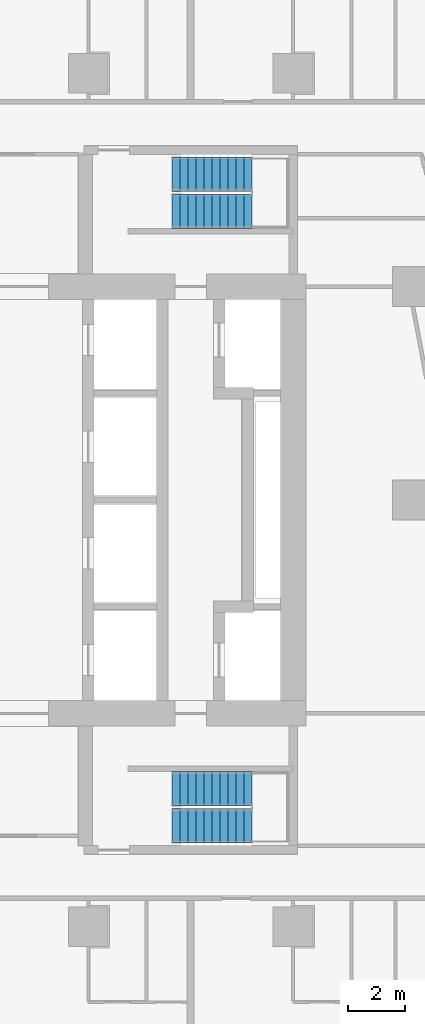
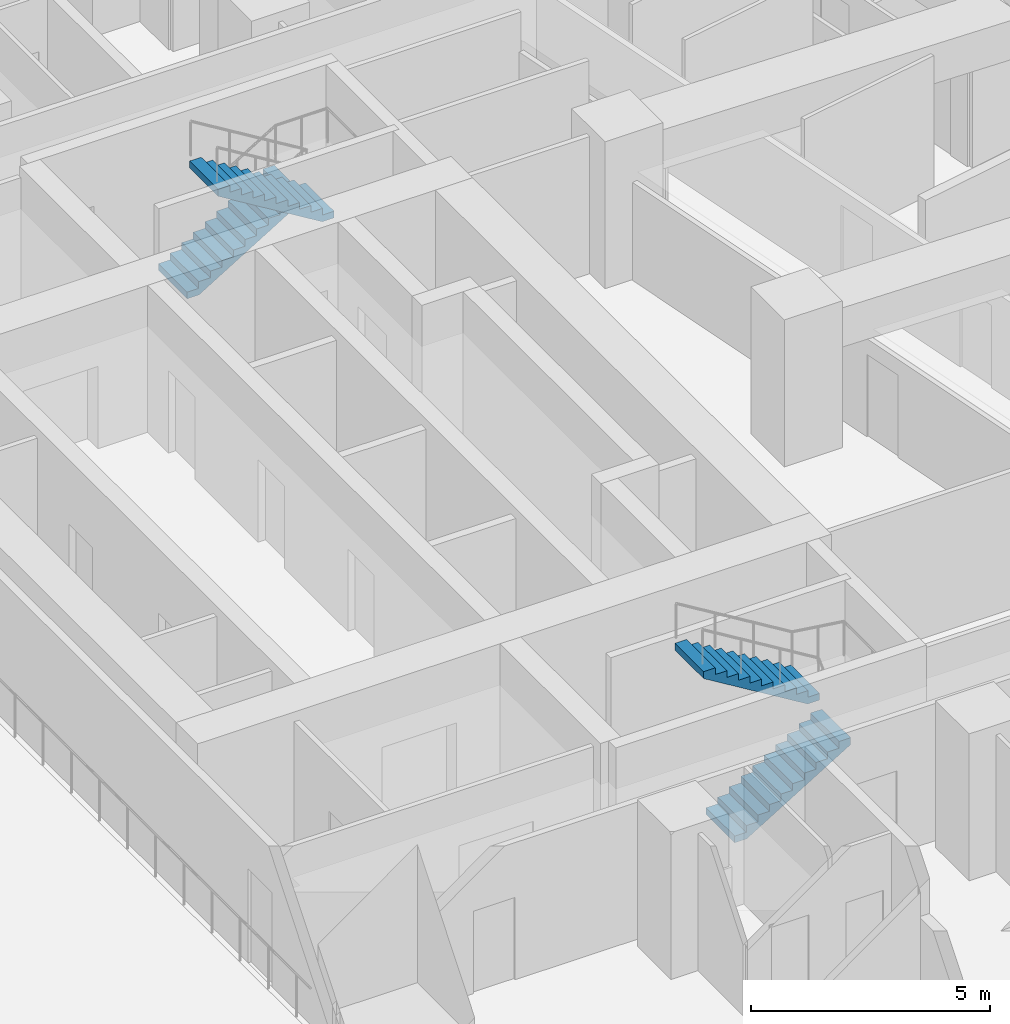
# One storey, part 9 of 11: 4 stair flights, 2 elements without a shape of their own.
"""IFC4 building model written with IfcOpenShell, lengths in metres."""

import ifcopenshell
import ifcopenshell.guid

model = None  # the IFC model being written
_history = None  # IfcOwnerHistory: only IFC2X3 demands one
_inside = {}  # id of a spatial element -> (the spatial element, [elements in it])
_under = {}  # id of a project, library or spatial element -> (it, [spatial elements below it])
_declared = {}  # id of a project -> (the project, [libraries it declares])
_typed = {}  # id of a type object -> (the type object, [elements of that type])
_made_of = {}  # id of a material, layer set ... -> (it, [elements and type objects made of it])


def new_model(schema):
    """Start an empty IFC model of exactly this schema.

    Asked for "IFC4X3", IfcOpenShell would pick the latest addendum, in which some entities
    have other attributes; the version numbers below select the first issue.
    IFC2X3 requires an IfcOwnerHistory on every rooted entity: one is made here for all.
    """
    global model, _history
    if schema == "IFC4X3":
        model = ifcopenshell.file(schema_version=(4, 3, 0, 0))
    else:
        model = ifcopenshell.file(schema=schema)
    _inside.clear()
    _under.clear()
    _declared.clear()
    _typed.clear()
    _made_of.clear()
    _history = None
    if model.schema == "IFC2X3":
        org = make("IfcOrganization", Name="unknown")
        user = make(
            "IfcPersonAndOrganization",
            ThePerson=make("IfcPerson", FamilyName="unknown"),
            TheOrganization=org,
        )
        app = make(
            "IfcApplication",
            ApplicationDeveloper=org,
            Version="unknown",
            ApplicationFullName="unknown",
            ApplicationIdentifier="unknown",
        )
        _history = make(
            "IfcOwnerHistory",
            OwningUser=user,
            OwningApplication=app,
            ChangeAction="ADDED",
            CreationDate=0,
        )
    return model


def make(cls, **values):
    """One entity of the class cls with the attributes given. An attribute that is None is left unset."""
    return model.create_entity(
        cls, **{name: value for name, value in values.items() if value is not None}
    )


def rooted(cls, **values):
    """An entity with a GlobalId (a new one), such as an element, a storey or a relation."""
    return make(cls, GlobalId=ifcopenshell.guid.new(), OwnerHistory=_history, **values)


def si_unit(unit_type, name, prefix=None):
    """IfcSIUnit, for example si_unit("LENGTHUNIT", "METRE", prefix="MILLI")."""
    return make("IfcSIUnit", UnitType=unit_type, Prefix=prefix, Name=name)


def assignment(units):
    """IfcUnitAssignment: the units of a project."""
    return None if units is None else make("IfcUnitAssignment", Units=units)


def point(xyz):
    """IfcCartesianPoint."""
    return None if xyz is None else make("IfcCartesianPoint", Coordinates=xyz)


def direction(xyz):
    """IfcDirection."""
    return None if xyz is None else make("IfcDirection", DirectionRatios=xyz)


def frame(location, z_axis=None, x_axis=None):
    """IfcAxis2Placement3D, a coordinate frame: its origin and axes. An axis left out is left unset."""
    return make(
        "IfcAxis2Placement3D",
        Location=point(location),
        Axis=direction(z_axis),
        RefDirection=direction(x_axis),
    )


def origin():
    """The frame at (0, 0, 0) with its axes left unset."""
    return frame((0.0, 0.0, 0.0))


def place(relative_to, where):
    """IfcLocalPlacement: puts the frame where relative to a parent placement (None: the world)."""
    return make(
        "IfcLocalPlacement", PlacementRelTo=relative_to, RelativePlacement=where
    )


def context(
    kind, dimensions, precision=None, world=None, true_north=None, identifier=None
):
    """IfcGeometricRepresentationContext, for example the 3D "Model" context."""
    return make(
        "IfcGeometricRepresentationContext",
        ContextIdentifier=identifier,
        ContextType=kind,
        CoordinateSpaceDimension=dimensions,
        Precision=precision,
        WorldCoordinateSystem=world,
        TrueNorth=true_north,
    )


def subcontext(parent, identifier, kind, view, scale=None):
    """IfcGeometricRepresentationSubContext, for example "Body" below "Model"."""
    return make(
        "IfcGeometricRepresentationSubContext",
        ContextIdentifier=identifier,
        ContextType=kind,
        ParentContext=parent,
        TargetScale=scale,
        TargetView=view,
    )


def project(units=None, contexts=None):
    """IfcProject with its units and contexts."""
    return rooted(
        "IfcProject",
        Name="project",
        RepresentationContexts=contexts,
        UnitsInContext=assignment(units),
    )


def spatial(cls, under=None, at=None, **own):
    """A site, building, storey or space (cls), placed at a placement, below another one or the project."""
    s = rooted(cls, ObjectPlacement=at, **own)
    if under is not None:
        _under.setdefault(under.id(), (under, []))[1].append(s)
    return s


def point_list(points):
    """IfcCartesianPointList2D or 3D."""
    cls = (
        "IfcCartesianPointList2D" if len(points[0]) == 2 else "IfcCartesianPointList3D"
    )
    return make(cls, CoordList=points)


def triangles(points, corners, closed=None, point_numbers=None):
    """IfcTriangulatedFaceSet: each triangle names its three corners, points numbered from 1."""
    return make(
        "IfcTriangulatedFaceSet",
        Coordinates=point_list(points),
        Closed=closed,
        CoordIndex=corners,
        PnIndex=point_numbers,
    )


def shape(context_of_items, identifier, shape_type, items):
    """IfcShapeRepresentation: the items that make up one representation, for example the "Body"."""
    return make(
        "IfcShapeRepresentation",
        ContextOfItems=context_of_items,
        RepresentationIdentifier=identifier,
        RepresentationType=shape_type,
        Items=items,
    )


def material(Name=None, Category=None):
    """IfcMaterial."""
    return make("IfcMaterial", Name=Name, Category=Category)


def made_of(thing, what):
    """Note that an element or type object is made of a material, layer set ...; save() writes the relation."""
    if what is not None:
        _made_of.setdefault(what.id(), (what, []))[1].append(thing)
    return thing


def type_object(cls, material=None, **own):
    """A type object (cls), such as IfcWallType, which elements share."""
    return made_of(rooted(cls, **own), material)


def element(
    cls,
    number,
    at=None,
    inside=None,
    cuts=None,
    type_object=None,
    material=None,
    context=None,
    identifier="Body",
    shape_type=None,
    held_by="IfcProductDefinitionShape",
    body=None,
    shapes=None,
    **own,
):
    """One element of the class cls, such as IfcWall. Its Tag is "e" and its number.

    at: its placement. inside: the storey or other place that contains it. cuts: it is an
    opening in that element (IfcRelVoidsElement). A single representation is given by context,
    identifier, shape_type and body (its items); several are given by shapes. held_by: the class
    of the entity that holds the representations. save() writes the other relations.
    """
    e = rooted(cls, Tag="e%d" % number, ObjectPlacement=at, **own)
    if body is not None:
        shapes = [shape(context, identifier, shape_type, body)]
    if shapes is not None:
        e.Representation = make(held_by, Representations=shapes)
    if inside is not None:
        _inside.setdefault(inside.id(), (inside, []))[1].append(e)
    if cuts is not None:
        rooted(
            "IfcRelVoidsElement", RelatingBuildingElement=cuts, RelatedOpeningElement=e
        )
    if type_object is not None:
        _typed.setdefault(type_object.id(), (type_object, []))[1].append(e)
    return made_of(e, material)


def aggregate(whole, parts):
    """IfcRelAggregates: a whole, such as a stair, and the parts it consists of."""
    return rooted("IfcRelAggregates", RelatingObject=whole, RelatedObjects=parts)


def save(model, path):
    """Write the relations noted so far, then the file.

    IfcRelAggregates (storeys below a building ...), IfcRelContainedInSpatialStructure (elements
    in a storey), IfcRelDefinesByType, IfcRelAssociatesMaterial and IfcRelDeclares: one each for
    every whole, place, type object, material and project.
    """
    for whole, parts in _under.values():
        aggregate(whole, parts)
    for where, things in _inside.values():
        rooted(
            "IfcRelContainedInSpatialStructure",
            RelatedElements=things,
            RelatingStructure=where,
        )
    for kind, things in _typed.values():
        rooted("IfcRelDefinesByType", RelatedObjects=things, RelatingType=kind)
    for what, things in _made_of.values():
        rooted("IfcRelAssociatesMaterial", RelatedObjects=things, RelatingMaterial=what)
    for by, libraries in _declared.values():
        rooted("IfcRelDeclares", RelatingContext=by, RelatedDefinitions=libraries)
    model.write(path)


model = new_model("IFC4")

# Units and contexts
model_context = context("Model", 3, precision=1e-05, world=origin(), true_north=direction((0.0, 1.0)))
body_context = subcontext(model_context, "Body", "Model", "MODEL_VIEW")
ifc_project = project(units=[si_unit("LENGTHUNIT", "METRE"), si_unit("AREAUNIT", "SQUARE_METRE"), si_unit("VOLUMEUNIT", "CUBIC_METRE"), si_unit("PLANEANGLEUNIT", "RADIAN"), si_unit("MASSUNIT", "GRAM", prefix="KILO")], contexts=[model_context])

# Site, building, storey
site_placement = place(None, origin())
site = spatial("IfcSite", under=ifc_project, at=site_placement, CompositionType="ELEMENT")
building_placement = place(site_placement, origin())
building = spatial("IfcBuilding", under=site, at=building_placement, Name="Sheger Commons Tower", CompositionType="ELEMENT")
storey_placement = place(building_placement, frame((0.0, 0.0, 223.699951171875)))
storey = spatial("IfcBuildingStorey", under=building, at=storey_placement, Name="L57", CompositionType="ELEMENT", Elevation=223.699951171875)

# Stair, stair flights
ifc_material_1 = material(Name="Concrete C35/45", Category="concrete")
stair_type = type_object("IfcStairType", Name="HALF-TURN STAIR 1200 RISE 3750", PredefinedType="HALF_TURN_STAIR", material=ifc_material_1)
stair_1_placement = place(storey_placement, origin())
stair_1 = element("IfcStair", 1, at=stair_1_placement, inside=storey, type_object=stair_type, Name="Stair S1 L57", PredefinedType="HALF_TURN_STAIR")
ifc_material_2 = material(Name="Concrete C35/45", Category="concrete")
stair_flight_type = type_object("IfcStairFlightType", Name="STAIR FLIGHT 1200 11 RISERS OF 170", PredefinedType="STRAIGHT", material=ifc_material_2)
stair_flight_1_placement = place(storey_placement, frame((24.550048828125, 11.050048828125, 0.0), z_axis=(0.0, 0.0, 1.0), x_axis=(1.0, 0.0, 0.0)))
stair_flight_1 = element("IfcStairFlight", 2, at=stair_flight_1_placement, type_object=stair_flight_type, Name="S1 flight 1", NumberOfRisers=11, NumberOfTreads=10, PredefinedType="STRAIGHT", RiserHeight=0.170454545, TreadLength=0.28, context=body_context, shape_type="Tessellation", body=[
    triangles([(0.0, 0.5999755859375, 0.0), (0.0, 0.5999755859375, 0.17041015625), (0.280029296875, 0.5999755859375, 0.17041015625), (0.280029296875, 0.5999755859375, 0.3408203125), (0.56005859375, 0.5999755859375, 0.3408203125), (0.56005859375, 0.5999755859375, 0.511474609375), (0.840087890625, 0.5999755859375, 0.511474609375), (0.840087890625, 0.5999755859375, 0.681884765625), (1.1201171875, 0.5999755859375, 0.681884765625), (1.1201171875, 0.5999755859375, 0.852294921875), (1.39990234375, 0.5999755859375, 0.852294921875), (1.39990234375, 0.5999755859375, 1.022705078125), (1.679931640625, 0.5999755859375, 1.022705078125), (1.679931640625, 0.5999755859375, 1.193115234375), (1.9599609375, 0.5999755859375, 1.193115234375), (1.9599609375, 0.5999755859375, 1.363525390625), (2.239990234375, 0.5999755859375, 1.363525390625), (2.239990234375, 0.5999755859375, 1.5341796875), (2.52001953125, 0.5999755859375, 1.5341796875), (2.52001953125, 0.5999755859375, 1.70458984375), (2.800048828125, 0.5999755859375, 1.70458984375), (2.800048828125, 0.5999755859375, 1.529052734375), (0.288330078125, 0.5999755859375, 0.0), (0.0, -0.5999755859375, 0.0), (0.0, -0.5999755859375, 0.17041015625), (0.280029296875, -0.5999755859375, 0.17041015625), (0.280029296875, -0.5999755859375, 0.3408203125), (0.56005859375, -0.5999755859375, 0.3408203125), (0.56005859375, -0.5999755859375, 0.511474609375), (0.840087890625, -0.5999755859375, 0.511474609375), (0.840087890625, -0.5999755859375, 0.681884765625), (1.1201171875, -0.5999755859375, 0.681884765625), (1.1201171875, -0.5999755859375, 0.852294921875), (1.39990234375, -0.5999755859375, 0.852294921875), (1.39990234375, -0.5999755859375, 1.022705078125), (1.679931640625, -0.5999755859375, 1.022705078125), (1.679931640625, -0.5999755859375, 1.193115234375), (1.9599609375, -0.5999755859375, 1.193115234375), (1.9599609375, -0.5999755859375, 1.363525390625), (2.239990234375, -0.5999755859375, 1.363525390625), (2.239990234375, -0.5999755859375, 1.5341796875), (2.52001953125, -0.5999755859375, 1.5341796875), (2.52001953125, -0.5999755859375, 1.70458984375), (2.800048828125, -0.5999755859375, 1.70458984375), (2.800048828125, -0.5999755859375, 1.529052734375), (0.288330078125, -0.5999755859375, 0.0), (0.0, 0.0, 0.085205078125), (0.1400146484375, 0.0, 0.17041015625), (0.280029296875, 0.0, 0.255615234375), (0.4200439453125, 0.0, 0.3408203125), (0.56005859375, 0.0, 0.4261474609375), (0.7000732421875, 0.0, 0.511474609375), (0.840087890625, 0.0, 0.5966796875), (0.9801025390625, 0.0, 0.681884765625), (1.1201171875, 0.0, 0.76708984375), (1.260009765625, 0.0, 0.852294921875), (1.39990234375, 0.0, 0.9375), (1.5399169921875, 0.0, 1.022705078125), (1.679931640625, 0.0, 1.10791015625), (1.8199462890625, 0.0, 1.193115234375), (1.9599609375, 0.0, 1.2783203125), (2.0999755859375, 0.0, 1.363525390625), (2.239990234375, 0.0, 1.4488525390625), (2.3800048828125, 0.0, 1.5341796875), (2.52001953125, 0.0, 1.619384765625), (2.6600341796875, 0.0, 1.70458984375), (2.800048828125, 0.0, 1.6168212890625), (1.544189453125, 0.0, 0.7645263671875), (0.1441650390625, 0.0, 0.0)], [[1, 22, 23], [24, 46, 45], [22, 20, 21], [45, 44, 43], [22, 19, 20], [45, 43, 42], [22, 18, 19], [45, 42, 41], [22, 17, 18], [45, 41, 40], [17, 15, 16], [40, 39, 38], [22, 15, 17], [45, 40, 38], [15, 13, 14], [38, 37, 36], [22, 13, 15], [45, 38, 36], [13, 11, 12], [36, 35, 34], [22, 11, 13], [45, 36, 34], [11, 9, 10], [34, 33, 32], [22, 9, 11], [45, 34, 32], [9, 7, 8], [32, 31, 30], [22, 7, 9], [45, 32, 30], [7, 5, 6], [30, 29, 28], [22, 5, 7], [45, 30, 28], [5, 3, 4], [28, 27, 26], [22, 3, 5], [45, 28, 26], [1, 3, 22], [24, 45, 26], [3, 1, 2], [26, 25, 24], [1, 47, 2], [2, 47, 25], [25, 47, 24], [24, 47, 1], [2, 48, 3], [3, 48, 26], [26, 48, 25], [25, 48, 2], [3, 49, 4], [4, 49, 27], [27, 49, 26], [26, 49, 3], [4, 50, 5], [5, 50, 28], [28, 50, 27], [27, 50, 4], [5, 51, 6], [6, 51, 29], [29, 51, 28], [28, 51, 5], [6, 52, 7], [7, 52, 30], [30, 52, 29], [29, 52, 6], [7, 53, 8], [8, 53, 31], [31, 53, 30], [30, 53, 7], [8, 54, 9], [9, 54, 32], [32, 54, 31], [31, 54, 8], [9, 55, 10], [10, 55, 33], [33, 55, 32], [32, 55, 9], [10, 56, 11], [11, 56, 34], [34, 56, 33], [33, 56, 10], [11, 57, 12], [12, 57, 35], [35, 57, 34], [34, 57, 11], [12, 58, 13], [13, 58, 36], [36, 58, 35], [35, 58, 12], [13, 59, 14], [14, 59, 37], [37, 59, 36], [36, 59, 13], [14, 60, 15], [15, 60, 38], [38, 60, 37], [37, 60, 14], [15, 61, 16], [16, 61, 39], [39, 61, 38], [38, 61, 15], [16, 62, 17], [17, 62, 40], [40, 62, 39], [39, 62, 16], [17, 63, 18], [18, 63, 41], [41, 63, 40], [40, 63, 17], [18, 64, 19], [19, 64, 42], [42, 64, 41], [41, 64, 18], [19, 65, 20], [20, 65, 43], [43, 65, 42], [42, 65, 19], [20, 66, 21], [21, 66, 44], [44, 66, 43], [43, 66, 20], [21, 67, 22], [22, 67, 45], [45, 67, 44], [44, 67, 21], [22, 68, 23], [23, 68, 46], [46, 68, 45], [45, 68, 22], [23, 69, 1], [1, 69, 24], [24, 69, 46], [46, 69, 23]], closed=True),
])
stair_flight_2_placement = place(storey_placement, frame((27.35009765625, 12.35009765625, 1.875), z_axis=(0.0, 0.0, 1.0), x_axis=(-1.0, 0.0, 0.0)))
stair_flight_2 = element("IfcStairFlight", 3, at=stair_flight_2_placement, type_object=stair_flight_type, Name="S1 flight 2", NumberOfRisers=11, NumberOfTreads=10, PredefinedType="STRAIGHT", RiserHeight=0.170454545, TreadLength=0.28, context=body_context, shape_type="Tessellation", body=[
    triangles([(0.0, 0.5999755859375, 0.0), (0.0, 0.5999755859375, 0.17041015625), (0.280029296875, 0.5999755859375, 0.17041015625), (0.280029296875, 0.5999755859375, 0.3408203125), (0.56005859375, 0.5999755859375, 0.3408203125), (0.56005859375, 0.5999755859375, 0.511474609375), (0.840087890625, 0.5999755859375, 0.511474609375), (0.840087890625, 0.5999755859375, 0.681884765625), (1.1201171875, 0.5999755859375, 0.681884765625), (1.1201171875, 0.5999755859375, 0.852294921875), (1.39990234375, 0.5999755859375, 0.852294921875), (1.39990234375, 0.5999755859375, 1.022705078125), (1.679931640625, 0.5999755859375, 1.022705078125), (1.679931640625, 0.5999755859375, 1.193115234375), (1.9599609375, 0.5999755859375, 1.193115234375), (1.9599609375, 0.5999755859375, 1.363525390625), (2.239990234375, 0.5999755859375, 1.363525390625), (2.239990234375, 0.5999755859375, 1.5341796875), (2.52001953125, 0.5999755859375, 1.5341796875), (2.52001953125, 0.5999755859375, 1.70458984375), (2.800048828125, 0.5999755859375, 1.70458984375), (2.800048828125, 0.5999755859375, 1.529052734375), (0.288330078125, 0.5999755859375, 0.0), (0.0, -0.5999755859375, 0.0), (0.0, -0.5999755859375, 0.17041015625), (0.280029296875, -0.5999755859375, 0.17041015625), (0.280029296875, -0.5999755859375, 0.3408203125), (0.56005859375, -0.5999755859375, 0.3408203125), (0.56005859375, -0.5999755859375, 0.511474609375), (0.840087890625, -0.5999755859375, 0.511474609375), (0.840087890625, -0.5999755859375, 0.681884765625), (1.1201171875, -0.5999755859375, 0.681884765625), (1.1201171875, -0.5999755859375, 0.852294921875), (1.39990234375, -0.5999755859375, 0.852294921875), (1.39990234375, -0.5999755859375, 1.022705078125), (1.679931640625, -0.5999755859375, 1.022705078125), (1.679931640625, -0.5999755859375, 1.193115234375), (1.9599609375, -0.5999755859375, 1.193115234375), (1.9599609375, -0.5999755859375, 1.363525390625), (2.239990234375, -0.5999755859375, 1.363525390625), (2.239990234375, -0.5999755859375, 1.5341796875), (2.52001953125, -0.5999755859375, 1.5341796875), (2.52001953125, -0.5999755859375, 1.70458984375), (2.800048828125, -0.5999755859375, 1.70458984375), (2.800048828125, -0.5999755859375, 1.529052734375), (0.288330078125, -0.5999755859375, 0.0), (0.0, 0.0, 0.085205078125), (0.1400146484375, 0.0, 0.17041015625), (0.280029296875, 0.0, 0.255615234375), (0.4200439453125, 0.0, 0.3408203125), (0.56005859375, 0.0, 0.4261474609375), (0.7000732421875, 0.0, 0.511474609375), (0.840087890625, 0.0, 0.5966796875), (0.9801025390625, 0.0, 0.681884765625), (1.1201171875, 0.0, 0.76708984375), (1.260009765625, 0.0, 0.852294921875), (1.39990234375, 0.0, 0.9375), (1.5399169921875, 0.0, 1.022705078125), (1.679931640625, 0.0, 1.10791015625), (1.8199462890625, 0.0, 1.193115234375), (1.9599609375, 0.0, 1.2783203125), (2.0999755859375, 0.0, 1.363525390625), (2.239990234375, 0.0, 1.4488525390625), (2.3800048828125, 0.0, 1.5341796875), (2.52001953125, 0.0, 1.619384765625), (2.6600341796875, 0.0, 1.70458984375), (2.800048828125, 0.0, 1.6168212890625), (1.544189453125, 0.0, 0.7645263671875), (0.1441650390625, 0.0, 0.0)], [[1, 22, 23], [24, 46, 45], [22, 20, 21], [45, 44, 43], [22, 19, 20], [45, 43, 42], [22, 18, 19], [45, 42, 41], [22, 17, 18], [45, 41, 40], [17, 15, 16], [40, 39, 38], [22, 15, 17], [45, 40, 38], [15, 13, 14], [38, 37, 36], [22, 13, 15], [45, 38, 36], [13, 11, 12], [36, 35, 34], [22, 11, 13], [45, 36, 34], [11, 9, 10], [34, 33, 32], [22, 9, 11], [45, 34, 32], [9, 7, 8], [32, 31, 30], [22, 7, 9], [45, 32, 30], [7, 5, 6], [30, 29, 28], [22, 5, 7], [45, 30, 28], [5, 3, 4], [28, 27, 26], [22, 3, 5], [45, 28, 26], [1, 3, 22], [24, 45, 26], [3, 1, 2], [26, 25, 24], [1, 47, 2], [2, 47, 25], [25, 47, 24], [24, 47, 1], [2, 48, 3], [3, 48, 26], [26, 48, 25], [25, 48, 2], [3, 49, 4], [4, 49, 27], [27, 49, 26], [26, 49, 3], [4, 50, 5], [5, 50, 28], [28, 50, 27], [27, 50, 4], [5, 51, 6], [6, 51, 29], [29, 51, 28], [28, 51, 5], [6, 52, 7], [7, 52, 30], [30, 52, 29], [29, 52, 6], [7, 53, 8], [8, 53, 31], [31, 53, 30], [30, 53, 7], [8, 54, 9], [9, 54, 32], [32, 54, 31], [31, 54, 8], [9, 55, 10], [10, 55, 33], [33, 55, 32], [32, 55, 9], [10, 56, 11], [11, 56, 34], [34, 56, 33], [33, 56, 10], [11, 57, 12], [12, 57, 35], [35, 57, 34], [34, 57, 11], [12, 58, 13], [13, 58, 36], [36, 58, 35], [35, 58, 12], [13, 59, 14], [14, 59, 37], [37, 59, 36], [36, 59, 13], [14, 60, 15], [15, 60, 38], [38, 60, 37], [37, 60, 14], [15, 61, 16], [16, 61, 39], [39, 61, 38], [38, 61, 15], [16, 62, 17], [17, 62, 40], [40, 62, 39], [39, 62, 16], [17, 63, 18], [18, 63, 41], [41, 63, 40], [40, 63, 17], [18, 64, 19], [19, 64, 42], [42, 64, 41], [41, 64, 18], [19, 65, 20], [20, 65, 43], [43, 65, 42], [42, 65, 19], [20, 66, 21], [21, 66, 44], [44, 66, 43], [43, 66, 20], [21, 67, 22], [22, 67, 45], [45, 67, 44], [44, 67, 21], [22, 68, 23], [23, 68, 46], [46, 68, 45], [45, 68, 22], [23, 69, 1], [1, 69, 24], [24, 69, 46], [46, 69, 23]], closed=True),
])
aggregate(stair_1, [stair_flight_1, stair_flight_2])

stair_2_placement = place(storey_placement, origin())
stair_2 = element("IfcStair", 4, at=stair_2_placement, inside=storey, type_object=stair_type, Name="Stair S2 L57", PredefinedType="HALF_TURN_STAIR")
stair_flight_3_placement = place(storey_placement, frame((24.550048828125, 33.949951171875, 0.0), z_axis=(0.0, 0.0, 1.0), x_axis=(1.0, 0.0, 0.0)))
stair_flight_3 = element("IfcStairFlight", 5, at=stair_flight_3_placement, type_object=stair_flight_type, Name="S2 flight 1", NumberOfRisers=11, NumberOfTreads=10, PredefinedType="STRAIGHT", RiserHeight=0.170454545, TreadLength=0.28, context=body_context, shape_type="Tessellation", body=[
    triangles([(0.0, 0.5999755859375, 0.0), (0.0, 0.5999755859375, 0.17041015625), (0.280029296875, 0.5999755859375, 0.17041015625), (0.280029296875, 0.5999755859375, 0.3408203125), (0.56005859375, 0.5999755859375, 0.3408203125), (0.56005859375, 0.5999755859375, 0.511474609375), (0.840087890625, 0.5999755859375, 0.511474609375), (0.840087890625, 0.5999755859375, 0.681884765625), (1.1201171875, 0.5999755859375, 0.681884765625), (1.1201171875, 0.5999755859375, 0.852294921875), (1.39990234375, 0.5999755859375, 0.852294921875), (1.39990234375, 0.5999755859375, 1.022705078125), (1.679931640625, 0.5999755859375, 1.022705078125), (1.679931640625, 0.5999755859375, 1.193115234375), (1.9599609375, 0.5999755859375, 1.193115234375), (1.9599609375, 0.5999755859375, 1.363525390625), (2.239990234375, 0.5999755859375, 1.363525390625), (2.239990234375, 0.5999755859375, 1.5341796875), (2.52001953125, 0.5999755859375, 1.5341796875), (2.52001953125, 0.5999755859375, 1.70458984375), (2.800048828125, 0.5999755859375, 1.70458984375), (2.800048828125, 0.5999755859375, 1.529052734375), (0.288330078125, 0.5999755859375, 0.0), (0.0, -0.5999755859375, 0.0), (0.0, -0.5999755859375, 0.17041015625), (0.280029296875, -0.5999755859375, 0.17041015625), (0.280029296875, -0.5999755859375, 0.3408203125), (0.56005859375, -0.5999755859375, 0.3408203125), (0.56005859375, -0.5999755859375, 0.511474609375), (0.840087890625, -0.5999755859375, 0.511474609375), (0.840087890625, -0.5999755859375, 0.681884765625), (1.1201171875, -0.5999755859375, 0.681884765625), (1.1201171875, -0.5999755859375, 0.852294921875), (1.39990234375, -0.5999755859375, 0.852294921875), (1.39990234375, -0.5999755859375, 1.022705078125), (1.679931640625, -0.5999755859375, 1.022705078125), (1.679931640625, -0.5999755859375, 1.193115234375), (1.9599609375, -0.5999755859375, 1.193115234375), (1.9599609375, -0.5999755859375, 1.363525390625), (2.239990234375, -0.5999755859375, 1.363525390625), (2.239990234375, -0.5999755859375, 1.5341796875), (2.52001953125, -0.5999755859375, 1.5341796875), (2.52001953125, -0.5999755859375, 1.70458984375), (2.800048828125, -0.5999755859375, 1.70458984375), (2.800048828125, -0.5999755859375, 1.529052734375), (0.288330078125, -0.5999755859375, 0.0), (0.0, 0.0, 0.085205078125), (0.1400146484375, 0.0, 0.17041015625), (0.280029296875, 0.0, 0.255615234375), (0.4200439453125, 0.0, 0.3408203125), (0.56005859375, 0.0, 0.4261474609375), (0.7000732421875, 0.0, 0.511474609375), (0.840087890625, 0.0, 0.5966796875), (0.9801025390625, 0.0, 0.681884765625), (1.1201171875, 0.0, 0.76708984375), (1.260009765625, 0.0, 0.852294921875), (1.39990234375, 0.0, 0.9375), (1.5399169921875, 0.0, 1.022705078125), (1.679931640625, 0.0, 1.10791015625), (1.8199462890625, 0.0, 1.193115234375), (1.9599609375, 0.0, 1.2783203125), (2.0999755859375, 0.0, 1.363525390625), (2.239990234375, 0.0, 1.4488525390625), (2.3800048828125, 0.0, 1.5341796875), (2.52001953125, 0.0, 1.619384765625), (2.6600341796875, 0.0, 1.70458984375), (2.800048828125, 0.0, 1.6168212890625), (1.544189453125, 0.0, 0.7645263671875), (0.1441650390625, 0.0, 0.0)], [[1, 22, 23], [24, 46, 45], [22, 20, 21], [45, 44, 43], [22, 19, 20], [45, 43, 42], [22, 18, 19], [45, 42, 41], [22, 17, 18], [45, 41, 40], [17, 15, 16], [40, 39, 38], [22, 15, 17], [45, 40, 38], [15, 13, 14], [38, 37, 36], [22, 13, 15], [45, 38, 36], [13, 11, 12], [36, 35, 34], [22, 11, 13], [45, 36, 34], [11, 9, 10], [34, 33, 32], [22, 9, 11], [45, 34, 32], [9, 7, 8], [32, 31, 30], [22, 7, 9], [45, 32, 30], [7, 5, 6], [30, 29, 28], [22, 5, 7], [45, 30, 28], [5, 3, 4], [28, 27, 26], [22, 3, 5], [45, 28, 26], [1, 3, 22], [24, 45, 26], [3, 1, 2], [26, 25, 24], [1, 47, 2], [2, 47, 25], [25, 47, 24], [24, 47, 1], [2, 48, 3], [3, 48, 26], [26, 48, 25], [25, 48, 2], [3, 49, 4], [4, 49, 27], [27, 49, 26], [26, 49, 3], [4, 50, 5], [5, 50, 28], [28, 50, 27], [27, 50, 4], [5, 51, 6], [6, 51, 29], [29, 51, 28], [28, 51, 5], [6, 52, 7], [7, 52, 30], [30, 52, 29], [29, 52, 6], [7, 53, 8], [8, 53, 31], [31, 53, 30], [30, 53, 7], [8, 54, 9], [9, 54, 32], [32, 54, 31], [31, 54, 8], [9, 55, 10], [10, 55, 33], [33, 55, 32], [32, 55, 9], [10, 56, 11], [11, 56, 34], [34, 56, 33], [33, 56, 10], [11, 57, 12], [12, 57, 35], [35, 57, 34], [34, 57, 11], [12, 58, 13], [13, 58, 36], [36, 58, 35], [35, 58, 12], [13, 59, 14], [14, 59, 37], [37, 59, 36], [36, 59, 13], [14, 60, 15], [15, 60, 38], [38, 60, 37], [37, 60, 14], [15, 61, 16], [16, 61, 39], [39, 61, 38], [38, 61, 15], [16, 62, 17], [17, 62, 40], [40, 62, 39], [39, 62, 16], [17, 63, 18], [18, 63, 41], [41, 63, 40], [40, 63, 17], [18, 64, 19], [19, 64, 42], [42, 64, 41], [41, 64, 18], [19, 65, 20], [20, 65, 43], [43, 65, 42], [42, 65, 19], [20, 66, 21], [21, 66, 44], [44, 66, 43], [43, 66, 20], [21, 67, 22], [22, 67, 45], [45, 67, 44], [44, 67, 21], [22, 68, 23], [23, 68, 46], [46, 68, 45], [45, 68, 22], [23, 69, 1], [1, 69, 24], [24, 69, 46], [46, 69, 23]], closed=True),
])
stair_flight_4_placement = place(storey_placement, frame((27.35009765625, 32.64990234375, 1.875), z_axis=(0.0, 0.0, 1.0), x_axis=(-1.0, 0.0, 0.0)))
stair_flight_4 = element("IfcStairFlight", 6, at=stair_flight_4_placement, type_object=stair_flight_type, Name="S2 flight 2", NumberOfRisers=11, NumberOfTreads=10, PredefinedType="STRAIGHT", RiserHeight=0.170454545, TreadLength=0.28, context=body_context, shape_type="Tessellation", body=[
    triangles([(0.0, 0.5999755859375, 0.0), (0.0, 0.5999755859375, 0.17041015625), (0.280029296875, 0.5999755859375, 0.17041015625), (0.280029296875, 0.5999755859375, 0.3408203125), (0.56005859375, 0.5999755859375, 0.3408203125), (0.56005859375, 0.5999755859375, 0.511474609375), (0.840087890625, 0.5999755859375, 0.511474609375), (0.840087890625, 0.5999755859375, 0.681884765625), (1.1201171875, 0.5999755859375, 0.681884765625), (1.1201171875, 0.5999755859375, 0.852294921875), (1.39990234375, 0.5999755859375, 0.852294921875), (1.39990234375, 0.5999755859375, 1.022705078125), (1.679931640625, 0.5999755859375, 1.022705078125), (1.679931640625, 0.5999755859375, 1.193115234375), (1.9599609375, 0.5999755859375, 1.193115234375), (1.9599609375, 0.5999755859375, 1.363525390625), (2.239990234375, 0.5999755859375, 1.363525390625), (2.239990234375, 0.5999755859375, 1.5341796875), (2.52001953125, 0.5999755859375, 1.5341796875), (2.52001953125, 0.5999755859375, 1.70458984375), (2.800048828125, 0.5999755859375, 1.70458984375), (2.800048828125, 0.5999755859375, 1.529052734375), (0.288330078125, 0.5999755859375, 0.0), (0.0, -0.5999755859375, 0.0), (0.0, -0.5999755859375, 0.17041015625), (0.280029296875, -0.5999755859375, 0.17041015625), (0.280029296875, -0.5999755859375, 0.3408203125), (0.56005859375, -0.5999755859375, 0.3408203125), (0.56005859375, -0.5999755859375, 0.511474609375), (0.840087890625, -0.5999755859375, 0.511474609375), (0.840087890625, -0.5999755859375, 0.681884765625), (1.1201171875, -0.5999755859375, 0.681884765625), (1.1201171875, -0.5999755859375, 0.852294921875), (1.39990234375, -0.5999755859375, 0.852294921875), (1.39990234375, -0.5999755859375, 1.022705078125), (1.679931640625, -0.5999755859375, 1.022705078125), (1.679931640625, -0.5999755859375, 1.193115234375), (1.9599609375, -0.5999755859375, 1.193115234375), (1.9599609375, -0.5999755859375, 1.363525390625), (2.239990234375, -0.5999755859375, 1.363525390625), (2.239990234375, -0.5999755859375, 1.5341796875), (2.52001953125, -0.5999755859375, 1.5341796875), (2.52001953125, -0.5999755859375, 1.70458984375), (2.800048828125, -0.5999755859375, 1.70458984375), (2.800048828125, -0.5999755859375, 1.529052734375), (0.288330078125, -0.5999755859375, 0.0), (0.0, 0.0, 0.085205078125), (0.1400146484375, 0.0, 0.17041015625), (0.280029296875, 0.0, 0.255615234375), (0.4200439453125, 0.0, 0.3408203125), (0.56005859375, 0.0, 0.4261474609375), (0.7000732421875, 0.0, 0.511474609375), (0.840087890625, 0.0, 0.5966796875), (0.9801025390625, 0.0, 0.681884765625), (1.1201171875, 0.0, 0.76708984375), (1.260009765625, 0.0, 0.852294921875), (1.39990234375, 0.0, 0.9375), (1.5399169921875, 0.0, 1.022705078125), (1.679931640625, 0.0, 1.10791015625), (1.8199462890625, 0.0, 1.193115234375), (1.9599609375, 0.0, 1.2783203125), (2.0999755859375, 0.0, 1.363525390625), (2.239990234375, 0.0, 1.4488525390625), (2.3800048828125, 0.0, 1.5341796875), (2.52001953125, 0.0, 1.619384765625), (2.6600341796875, 0.0, 1.70458984375), (2.800048828125, 0.0, 1.6168212890625), (1.544189453125, 0.0, 0.7645263671875), (0.1441650390625, 0.0, 0.0)], [[1, 22, 23], [24, 46, 45], [22, 20, 21], [45, 44, 43], [22, 19, 20], [45, 43, 42], [22, 18, 19], [45, 42, 41], [22, 17, 18], [45, 41, 40], [17, 15, 16], [40, 39, 38], [22, 15, 17], [45, 40, 38], [15, 13, 14], [38, 37, 36], [22, 13, 15], [45, 38, 36], [13, 11, 12], [36, 35, 34], [22, 11, 13], [45, 36, 34], [11, 9, 10], [34, 33, 32], [22, 9, 11], [45, 34, 32], [9, 7, 8], [32, 31, 30], [22, 7, 9], [45, 32, 30], [7, 5, 6], [30, 29, 28], [22, 5, 7], [45, 30, 28], [5, 3, 4], [28, 27, 26], [22, 3, 5], [45, 28, 26], [1, 3, 22], [24, 45, 26], [3, 1, 2], [26, 25, 24], [1, 47, 2], [2, 47, 25], [25, 47, 24], [24, 47, 1], [2, 48, 3], [3, 48, 26], [26, 48, 25], [25, 48, 2], [3, 49, 4], [4, 49, 27], [27, 49, 26], [26, 49, 3], [4, 50, 5], [5, 50, 28], [28, 50, 27], [27, 50, 4], [5, 51, 6], [6, 51, 29], [29, 51, 28], [28, 51, 5], [6, 52, 7], [7, 52, 30], [30, 52, 29], [29, 52, 6], [7, 53, 8], [8, 53, 31], [31, 53, 30], [30, 53, 7], [8, 54, 9], [9, 54, 32], [32, 54, 31], [31, 54, 8], [9, 55, 10], [10, 55, 33], [33, 55, 32], [32, 55, 9], [10, 56, 11], [11, 56, 34], [34, 56, 33], [33, 56, 10], [11, 57, 12], [12, 57, 35], [35, 57, 34], [34, 57, 11], [12, 58, 13], [13, 58, 36], [36, 58, 35], [35, 58, 12], [13, 59, 14], [14, 59, 37], [37, 59, 36], [36, 59, 13], [14, 60, 15], [15, 60, 38], [38, 60, 37], [37, 60, 14], [15, 61, 16], [16, 61, 39], [39, 61, 38], [38, 61, 15], [16, 62, 17], [17, 62, 40], [40, 62, 39], [39, 62, 16], [17, 63, 18], [18, 63, 41], [41, 63, 40], [40, 63, 17], [18, 64, 19], [19, 64, 42], [42, 64, 41], [41, 64, 18], [19, 65, 20], [20, 65, 43], [43, 65, 42], [42, 65, 19], [20, 66, 21], [21, 66, 44], [44, 66, 43], [43, 66, 20], [21, 67, 22], [22, 67, 45], [45, 67, 44], [44, 67, 21], [22, 68, 23], [23, 68, 46], [46, 68, 45], [45, 68, 22], [23, 69, 1], [1, 69, 24], [24, 69, 46], [46, 69, 23]], closed=True),
])
aggregate(stair_2, [stair_flight_3, stair_flight_4])

save(model, "model.ifc")
